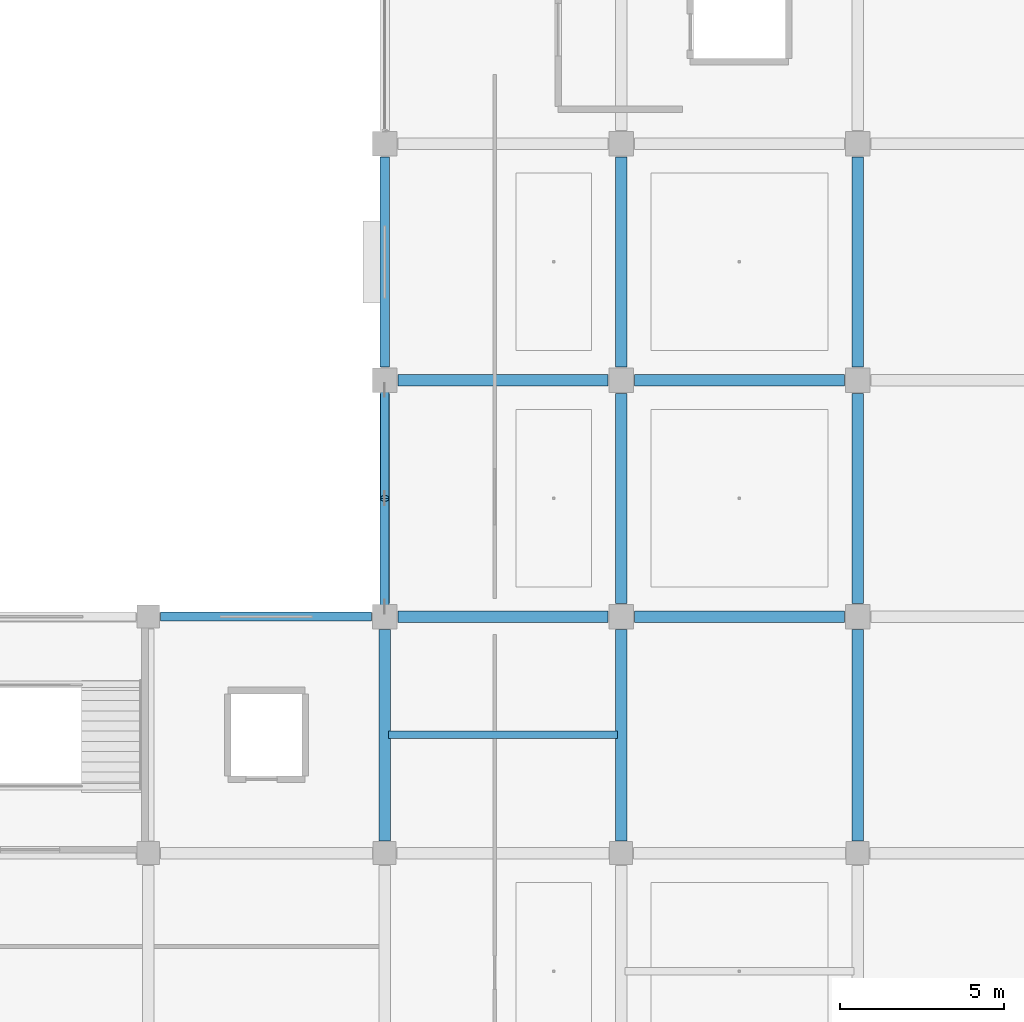
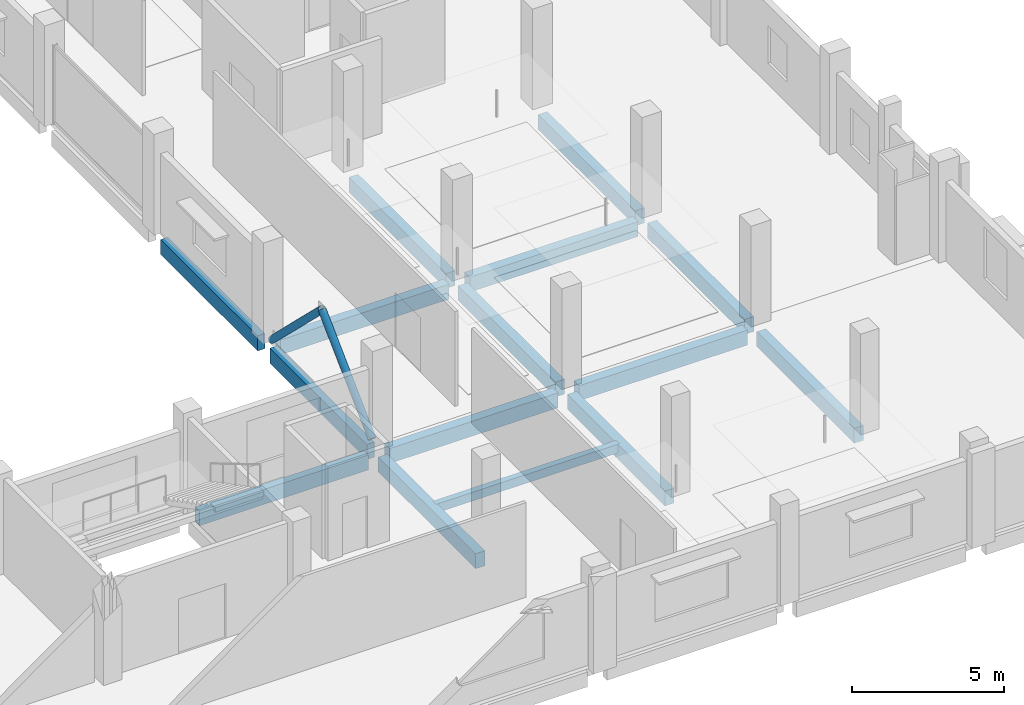
# One storey, part 44 of 108: 15 beams, 2 members.
"""IFC4 building model written with IfcOpenShell, lengths in metres."""

from ifc_helpers import new_model, si_unit, direction, frame, origin, origin_2d, place, context, subcontext, project, spatial, rectangle, hollow_circle, extrude, material, material_profile, profile_set, type_object, element, save


model = new_model("IFC4")

# Units and contexts
model_context = context("Model", 3, precision=1e-05, world=origin(), true_north=direction((0.0, 1.0)))
body_context = subcontext(model_context, "Body", "Model", "MODEL_VIEW")
ifc_project = project(units=[si_unit("LENGTHUNIT", "METRE"), si_unit("AREAUNIT", "SQUARE_METRE"), si_unit("VOLUMEUNIT", "CUBIC_METRE"), si_unit("PLANEANGLEUNIT", "RADIAN"), si_unit("MASSUNIT", "GRAM", prefix="KILO")], contexts=[model_context])

# Site, building, storey
site_placement = place(None, origin())
site = spatial("IfcSite", under=ifc_project, at=site_placement, CompositionType="ELEMENT")
building_placement = place(site_placement, origin())
building = spatial("IfcBuilding", under=site, at=building_placement, Name="Kangsadwip Square Police Headquarters", CompositionType="ELEMENT")
storey_placement = place(building_placement, frame((0.0, 0.0, 9.449951171875)))
storey = spatial("IfcBuildingStorey", under=building, at=storey_placement, Name="L02", CompositionType="ELEMENT", Elevation=9.449951171875)

# Beams
ifc_material_1 = material(Name="Concrete M35 (35 MPa)", Category="concrete")
ifc_material_profile_1 = material_profile(ifc_material_1, rectangle(XDim=0.35009765625, YDim=0.60009765625, at=origin_2d()), Name="RC BM 600X350")
ifc_profile_set_1 = profile_set([ifc_material_profile_1], Name="Concrete M35 (35 MPa)")
beam_type_1 = type_object("IfcBeamType", Name="RcBeam600x350", PredefinedType="BEAM", material=ifc_profile_set_1)
beam_1_placement = place(storey_placement, frame((144.39990234375, 36.0, -0.5400390625), z_axis=(1.0, 0.0, 0.0), x_axis=(0.0, 1.0, 0.0)))
element("IfcBeam", 1, at=beam_1_placement, inside=storey, type_object=beam_type_1, Name="Beam BM-L02-X-20-05", PredefinedType="BEAM", context=body_context, shape_type="SweptSolid", body=[
    extrude(rectangle(XDim=0.35009765625, YDim=0.60009765625, at=origin_2d()), origin(), (0.0, 0.0, 1.0), 6.400146484375),
])
beam_2_placement = place(storey_placement, frame((151.60009765625, 36.0, -0.5400390625), z_axis=(1.0, 0.0, 0.0), x_axis=(0.0, 1.0, 0.0)))
element("IfcBeam", 2, at=beam_2_placement, inside=storey, type_object=beam_type_1, Name="Beam BM-L02-X-21-05", PredefinedType="BEAM", context=body_context, shape_type="SweptSolid", body=[
    extrude(rectangle(XDim=0.35009765625, YDim=0.60009765625, at=origin_2d()), origin(), (0.0, 0.0, 1.0), 6.39990234375),
])
beam_3_placement = place(storey_placement, frame((144.39990234375, 43.199951171875, -0.5400390625), z_axis=(1.0, 0.0, 0.0), x_axis=(0.0, 1.0, 0.0)))
element("IfcBeam", 3, at=beam_3_placement, inside=storey, type_object=beam_type_1, Name="Beam BM-L02-X-20-06", PredefinedType="BEAM", context=body_context, shape_type="SweptSolid", body=[
    extrude(rectangle(XDim=0.35009765625, YDim=0.60009765625, at=origin_2d()), origin(), (0.0, 0.0, 1.0), 6.400146484375),
])
beam_4_placement = place(storey_placement, frame((151.60009765625, 43.199951171875, -0.5400390625), z_axis=(1.0, 0.0, 0.0), x_axis=(0.0, 1.0, 0.0)))
element("IfcBeam", 4, at=beam_4_placement, inside=storey, type_object=beam_type_1, Name="Beam BM-L02-X-21-06", PredefinedType="BEAM", context=body_context, shape_type="SweptSolid", body=[
    extrude(rectangle(XDim=0.35009765625, YDim=0.60009765625, at=origin_2d()), origin(), (0.0, 0.0, 1.0), 6.39990234375),
])
for number, where, z_axis, x_axis, name in (
    (5, (144.0, 29.175048828125, -0.5400390625), (0.0, 1.0, 0.0), (-1.0, 0.0, 0.0), "Beam BM-L02-Y-20-04"),
    (6, (151.199951171875, 29.175048828125, -0.5400390625), (0.0, 1.0, 0.0), (-1.0, 0.0, 0.0), "Beam BM-L02-Y-21-04"),
):
    element("IfcBeam", number, at=place(storey_placement, frame(where, z_axis=z_axis, x_axis=x_axis)), inside=storey, type_object=beam_type_1, Name=name, PredefinedType="BEAM", context=body_context, shape_type="SweptSolid", body=[
        extrude(rectangle(XDim=0.35009765625, YDim=0.60009765625, at=origin_2d()), origin(), (0.0, 0.0, 1.0), 6.425048828125),
    ])
beam_5_placement = place(storey_placement, frame((151.199951171875, 36.39990234375, -0.5400390625), z_axis=(0.0, 1.0, 0.0), x_axis=(-1.0, 0.0, 0.0)))
element("IfcBeam", 7, at=beam_5_placement, inside=storey, type_object=beam_type_1, Name="Beam BM-L02-Y-21-05", PredefinedType="BEAM", context=body_context, shape_type="SweptSolid", body=[
    extrude(rectangle(XDim=0.35009765625, YDim=0.60009765625, at=origin_2d()), origin(), (0.0, 0.0, 1.0), 6.400146484375),
])
beam_6_placement = place(storey_placement, frame((151.199951171875, 43.60009765625, -0.5400390625), z_axis=(0.0, 1.0, 0.0), x_axis=(-1.0, 0.0, 0.0)))
element("IfcBeam", 8, at=beam_6_placement, inside=storey, type_object=beam_type_1, Name="Beam BM-L02-Y-21-06", PredefinedType="BEAM", context=body_context, shape_type="SweptSolid", body=[
    extrude(rectangle(XDim=0.35009765625, YDim=0.60009765625, at=origin_2d()), origin(), (0.0, 0.0, 1.0), 6.39990234375),
])
beam_7_placement = place(storey_placement, frame((158.39990234375, 29.175048828125, -0.5400390625), z_axis=(0.0, 1.0, 0.0), x_axis=(-1.0, 0.0, 0.0)))
element("IfcBeam", 9, at=beam_7_placement, inside=storey, type_object=beam_type_1, Name="Beam BM-L02-Y-22-04", PredefinedType="BEAM", context=body_context, shape_type="SweptSolid", body=[
    extrude(rectangle(XDim=0.35009765625, YDim=0.60009765625, at=origin_2d()), origin(), (0.0, 0.0, 1.0), 6.425048828125),
])
beam_8_placement = place(storey_placement, frame((158.39990234375, 36.39990234375, -0.5400390625), z_axis=(0.0, 1.0, 0.0), x_axis=(-1.0, 0.0, 0.0)))
element("IfcBeam", 10, at=beam_8_placement, inside=storey, type_object=beam_type_1, Name="Beam BM-L02-Y-22-05", PredefinedType="BEAM", context=body_context, shape_type="SweptSolid", body=[
    extrude(rectangle(XDim=0.35009765625, YDim=0.60009765625, at=origin_2d()), origin(), (0.0, 0.0, 1.0), 6.400146484375),
])
beam_9_placement = place(storey_placement, frame((158.39990234375, 43.60009765625, -0.5400390625), z_axis=(0.0, 1.0, 0.0), x_axis=(-1.0, 0.0, 0.0)))
element("IfcBeam", 11, at=beam_9_placement, inside=storey, type_object=beam_type_1, Name="Beam BM-L02-Y-22-06", PredefinedType="BEAM", context=body_context, shape_type="SweptSolid", body=[
    extrude(rectangle(XDim=0.35009765625, YDim=0.60009765625, at=origin_2d()), origin(), (0.0, 0.0, 1.0), 6.39990234375),
])
ifc_material_2 = material(Name="Concrete M35 (35 MPa)", Category="concrete")
ifc_material_profile_2 = material_profile(ifc_material_2, rectangle(XDim=0.22998046875, YDim=0.35009765625, at=origin_2d()), Name="RC JST 350X230")
ifc_profile_set_2 = profile_set([ifc_material_profile_2], Name="Concrete M35 (35 MPa)")
beam_type_2 = type_object("IfcBeamType", Name="RcJoist350x230", PredefinedType="JOIST", material=ifc_profile_set_2)
beam_10_placement = place(storey_placement, frame((144.110107421875, 32.39990234375, -0.4150390625), z_axis=(1.0, 0.0, 0.0), x_axis=(0.0, 1.0, 0.0)))
element("IfcBeam", 12, at=beam_10_placement, inside=storey, type_object=beam_type_2, Name="Secondary Joist JST-L02-20-04", PredefinedType="JOIST", context=body_context, shape_type="SweptSolid", body=[
    extrude(rectangle(XDim=0.22998046875, YDim=0.35009765625, at=origin_2d()), origin(), (0.0, 0.0, 1.0), 6.97998046875),
])
ifc_material_3 = material(Name="Concrete M40 (40 MPa)", Category="concrete")
ifc_material_profile_3 = material_profile(ifc_material_3, rectangle(XDim=0.280029296875, YDim=0.60009765625, at=origin_2d()), Name="RC SPN 600X280")
ifc_profile_set_3 = profile_set([ifc_material_profile_3], Name="Concrete M40 (40 MPa)")
beam_type_3 = type_object("IfcBeamType", Name="RcSpandrel600x280", PredefinedType="SPANDREL", material=ifc_profile_set_3)
beam_11_placement = place(storey_placement, frame((137.175048828125, 36.0, -0.5400390625), z_axis=(1.0, 0.0, 0.0), x_axis=(0.0, 1.0, 0.0)))
element("IfcBeam", 13, at=beam_11_placement, inside=storey, type_object=beam_type_3, Name="Beam BM-L02-X-19-05", PredefinedType="SPANDREL", context=body_context, shape_type="SweptSolid", body=[
    extrude(rectangle(XDim=0.280029296875, YDim=0.60009765625, at=origin_2d()), origin(), (0.0, 0.0, 1.0), 6.425048828125),
])
beam_12_placement = place(storey_placement, frame((144.0, 36.39990234375, -0.5400390625), z_axis=(0.0, 1.0, 0.0), x_axis=(-1.0, 0.0, 0.0)))
element("IfcBeam", 14, at=beam_12_placement, inside=storey, type_object=beam_type_3, Name="Beam BM-L02-Y-20-05", PredefinedType="SPANDREL", context=body_context, shape_type="SweptSolid", body=[
    extrude(rectangle(XDim=0.280029296875, YDim=0.60009765625, at=origin_2d()), origin(), (0.0, 0.0, 1.0), 6.400146484375),
])
beam_13_placement = place(storey_placement, frame((144.0, 43.60009765625, -0.5400390625), z_axis=(0.0, 1.0, 0.0), x_axis=(-1.0, 0.0, 0.0)))
element("IfcBeam", 15, at=beam_13_placement, inside=storey, type_object=beam_type_3, Name="Beam BM-L02-Y-20-06", PredefinedType="SPANDREL", context=body_context, shape_type="SweptSolid", body=[
    extrude(rectangle(XDim=0.280029296875, YDim=0.60009765625, at=origin_2d()), origin(), (0.0, 0.0, 1.0), 6.39990234375),
])

# Members
ifc_material_4 = material(Name="Structural steel IS 2062 E350 (Grade 350, 350 MPa)", Category="steel")
ifc_material_profile_4 = material_profile(ifc_material_4, hollow_circle(Radius=0.136474609375, WallThickness=0.010009765625, at=origin_2d()), Name="CHS 273X10")
ifc_profile_set_4 = profile_set([ifc_material_profile_4], Name="Structural steel IS 2062 E350 (Grade 350, 350 MPa)")
member_type = type_object("IfcMemberType", Name="TrussBraceChs273", PredefinedType="BRACE", material=ifc_profile_set_4)
member_1_placement = place(storey_placement, frame((144.0, 36.300048828125, 0.0), z_axis=(0.0, 0.716823350173, 0.697254820454), x_axis=(-1.0, 0.0, 0.0)))
element("IfcMember", 16, at=member_1_placement, inside=storey, type_object=member_type, Name="Truss Member MEM-L02-0290", PredefinedType="BRACE", context=body_context, shape_type="SweptSolid", body=[
    extrude(hollow_circle(Radius=0.136474609375, WallThickness=0.010009765625, at=origin_2d()), origin(), (0.0, 0.0, 1.0), 4.603759765625),
])
member_2_placement = place(storey_placement, frame((144.0, 42.89990234375, 0.0), z_axis=(0.0, -0.716797566805, 0.697281326454), x_axis=(1.0, 0.0, 0.0)))
element("IfcMember", 17, at=member_2_placement, inside=storey, type_object=member_type, Name="Truss Member MEM-L02-0291", PredefinedType="BRACE", context=body_context, shape_type="SweptSolid", body=[
    extrude(hollow_circle(Radius=0.136474609375, WallThickness=0.010009765625, at=origin_2d()), origin(), (0.0, 0.0, 1.0), 4.603515625),
])

save(model, "model.ifc")
